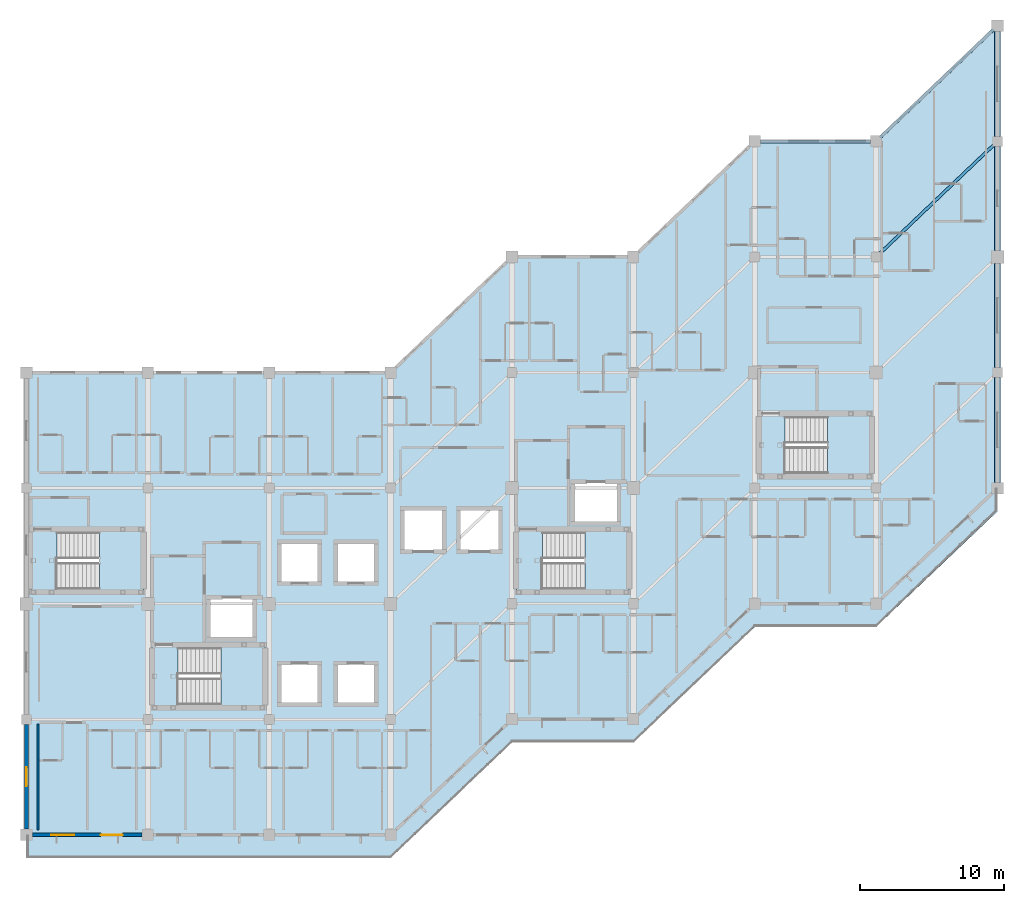
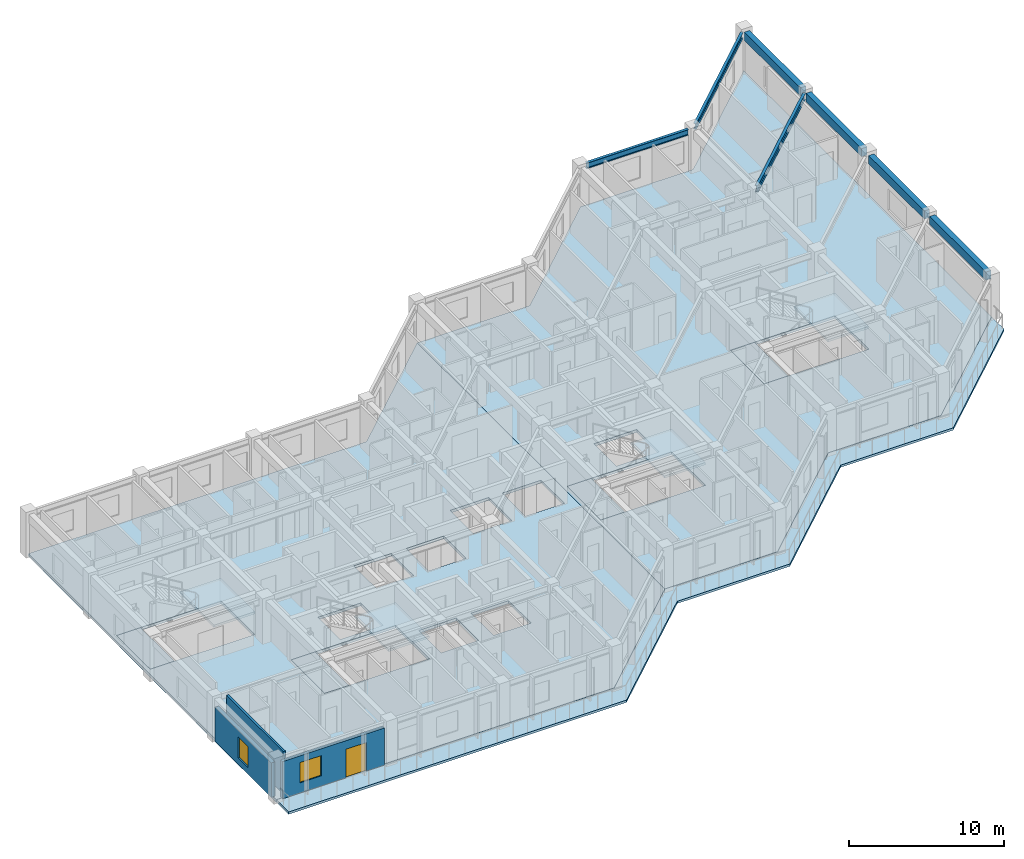
# One storey, part 4 of 17: 11 slabs, 7 beams, 3 walls, 2 windows, 1 door, 3 openings, 4 elements without a shape of their own.
"""IFC4 building model written with IfcOpenShell, lengths in metres."""

from ifc_helpers import new_model, si_unit, direction, frame, frame_2d, origin, origin_2d, place, context, subcontext, project, spatial, polyline, rectangle, i_section, outline, extrude, material, layer, layer_set, material_profile, profile_set, type_object, element, fill, aggregate, save


model = new_model("IFC4")

# Units and contexts
model_context = context("Model", 3, precision=1e-05, world=origin(), true_north=direction((0.0, 1.0)))
body_context = subcontext(model_context, "Body", "Model", "MODEL_VIEW")
ifc_project = project(units=[si_unit("LENGTHUNIT", "METRE"), si_unit("AREAUNIT", "SQUARE_METRE"), si_unit("VOLUMEUNIT", "CUBIC_METRE"), si_unit("PLANEANGLEUNIT", "RADIAN"), si_unit("MASSUNIT", "GRAM", prefix="KILO")], contexts=[model_context])

# Site, building, storey
site_placement = place(None, origin())
site = spatial("IfcSite", under=ifc_project, at=site_placement, CompositionType="ELEMENT")
building_placement = place(site_placement, origin())
building = spatial("IfcBuilding", under=site, at=building_placement, Name="Naruveol Harbour Congress Hotel", CompositionType="ELEMENT")
storey_placement = place(building_placement, frame((0.0, 0.0, 25.199951171875)))
storey = spatial("IfcBuildingStorey", under=building, at=storey_placement, Name="L05", CompositionType="ELEMENT", Elevation=25.199951171875)

# Beams
ifc_material_1 = material(Name="Concrete C40/50", Category="concrete")
ifc_material_profile_1 = material_profile(ifc_material_1, rectangle(XDim=0.39990234375, YDim=0.64990234375, at=origin_2d()), Name="RCB-400x650")
ifc_profile_set_1 = profile_set([ifc_material_profile_1], Name="Concrete C40/50")
beam_type_1 = type_object("IfcBeamType", Name="RC HOTEL BEAM 400X650", PredefinedType="BEAM", material=ifc_profile_set_1)
beam_1_placement = place(storey_placement, frame((184.800048828125, 24.39599609375, 3.01513671875), z_axis=(0.0, 1.0, 0.0), x_axis=(-1.0, 0.0, 0.0)))
element("IfcBeam", 1, at=beam_1_placement, inside=storey, type_object=beam_type_1, Name="Hotel transverse beam L06 CB4", PredefinedType="BEAM", context=body_context, shape_type="SweptSolid", body=[
    extrude(rectangle(XDim=0.39990234375, YDim=0.64990234375, at=origin_2d()), origin(), (0.0, 0.0, 1.0), 7.258056640625),
])
for number, where, z_axis, x_axis, name in (
    (2, (184.800048828125, 32.345947265625, 3.01513671875), (0.0, 1.0, 0.0), (-1.0, 0.0, 0.0), "Hotel transverse beam L06 CB4"),
    (3, (184.800048828125, 40.446044921875, 3.01513671875), (0.0, 1.0, 0.0), (-1.0, 0.0, 0.0), "Hotel transverse beam L06 CB4"),
):
    element("IfcBeam", number, at=place(storey_placement, frame(where, z_axis=z_axis, x_axis=x_axis)), inside=storey, type_object=beam_type_1, Name=name, PredefinedType="BEAM", context=body_context, shape_type="SweptSolid", body=[
        extrude(rectangle(XDim=0.39990234375, YDim=0.64990234375, at=origin_2d()), origin(), (0.0, 0.0, 1.0), 7.2080078125),
    ])
beam_2_placement = place(storey_placement, frame((184.800048828125, 48.345947265625, 3.01513671875), z_axis=(0.0, 1.0, 0.0), x_axis=(-1.0, 0.0, 0.0)))
element("IfcBeam", 4, at=beam_2_placement, inside=storey, type_object=beam_type_1, Name="Hotel transverse beam L06 CB4", PredefinedType="BEAM", context=body_context, shape_type="SweptSolid", body=[
    extrude(rectangle(XDim=0.39990234375, YDim=0.64990234375, at=origin_2d()), origin(), (0.0, 0.0, 1.0), 7.258056640625),
])
ifc_material_2 = material(Name="Steel SN490", Category="steel")
ifc_material_profile_2 = material_profile(ifc_material_2, i_section(OverallWidth=0.199951171875, OverallDepth=0.5, WebThickness=0.010009765625, FlangeThickness=0.01611328125, at=origin_2d()), Name="H-500x200x10x16")
ifc_profile_set_2 = profile_set([ifc_material_profile_2], Name="Steel SN490")
beam_type_2 = type_object("IfcBeamType", Name="STEEL FLOOR GIRDER H500", PredefinedType="BEAM", material=ifc_profile_set_2)
beam_3_placement = place(storey_placement, frame((176.650634765625, 40.238525390625, 3.090087890625), z_axis=(0.724119833693, 0.689674174123, 0.0), x_axis=(-0.689674174123, 0.724119833693, 0.0)))
element("IfcBeam", 5, at=beam_3_placement, inside=storey, type_object=beam_type_2, Name="Hotel chord beam L06 SB2", PredefinedType="BEAM", context=body_context, shape_type="SweptSolid", body=[
    extrude(i_section(OverallWidth=0.199951171875, OverallDepth=0.5, WebThickness=0.010009765625, FlangeThickness=0.01611328125, at=origin_2d()), origin(), (0.0, 0.0, 1.0), 10.907958984375),
])
ifc_material_3 = material(Name="Steel SN490", Category="steel")
ifc_material_profile_3 = material_profile(ifc_material_3, i_section(OverallWidth=0.199951171875, OverallDepth=0.449951171875, WebThickness=0.009033203125, FlangeThickness=0.013916015625, at=origin_2d()), Name="H-450x200x9x14")
ifc_profile_set_3 = profile_set([ifc_material_profile_3], Name="Steel SN490")
beam_type_3 = type_object("IfcBeamType", Name="STEEL SPANDREL EDGE BEAM H450", PredefinedType="SPANDREL", material=ifc_profile_set_3)
beam_4_placement = place(storey_placement, frame((168.39599609375, 48.0, 3.114990234375), z_axis=(1.0, 0.0, 0.0), x_axis=(0.0, 1.0, 0.0)))
element("IfcBeam", 6, at=beam_4_placement, inside=storey, type_object=beam_type_3, Name="Hotel chord beam L06 SPB2", PredefinedType="SPANDREL", context=body_context, shape_type="SweptSolid", body=[
    extrude(i_section(OverallWidth=0.199951171875, OverallDepth=0.449951171875, WebThickness=0.009033203125, FlangeThickness=0.013916015625, at=origin_2d()), origin(), (0.0, 0.0, 1.0), 7.60791015625),
])
beam_5_placement = place(storey_placement, frame((176.686767578125, 48.273193359375, 3.114990234375), z_axis=(0.724143303008, 0.689649531798, 0.0), x_axis=(-0.689649531798, 0.724143303008, 0.0)))
element("IfcBeam", 7, at=beam_5_placement, inside=storey, type_object=beam_type_3, Name="Hotel chord beam L06 SPB2", PredefinedType="SPANDREL", context=body_context, shape_type="SweptSolid", body=[
    extrude(i_section(OverallWidth=0.199951171875, OverallDepth=0.449951171875, WebThickness=0.009033203125, FlangeThickness=0.013916015625, at=origin_2d()), origin(), (0.0, 0.0, 1.0), 10.807861328125),
])

# Slabs
ifc_material_4 = material(Name="Concrete C40/50", Category="concrete")
ifc_layer_1 = layer(ifc_material_4, 0.219970703125)
ifc_layer_set_1 = layer_set([ifc_layer_1], Name="Concrete C40/50")
slab_type_1 = type_object("IfcSlabType", Name="RC HOTEL LOWER FLOOR SLAB 220", PredefinedType="FLOOR", material=ifc_layer_set_1)
slab_1_placement = place(storey_placement, frame((0.0, 0.0, -0.219970703125)))
element("IfcSlab", 8, at=slab_1_placement, inside=storey, type_object=slab_type_1, Name="Level L05 Hotel W S-curve floor slab", PredefinedType="FLOOR", context=body_context, shape_type="SweptSolid", body=[
    extrude(outline(polyline([(117.60009765625, 0.0), (126.0, 0.0), (134.39990234375, 0.0), (142.800048828125, 0.0), (151.199951171875, 8.0), (151.199951171875, 40.0), (142.800048828125, 32.0), (134.39990234375, 32.0), (126.0, 32.0), (117.60009765625, 32.0), (117.60009765625, 0.0)]), holes=[polyline([(126.300048828125, 8.800048828125), (134.10009765625, 8.800048828125), (134.10009765625, 13.159912109375), (126.300048828125, 13.159912109375), (126.300048828125, 8.800048828125)]), polyline([(117.89990234375, 16.800048828125), (125.699951171875, 16.800048828125), (125.699951171875, 21.159912109375), (117.89990234375, 21.159912109375), (117.89990234375, 16.800048828125)]), polyline([(135.10009765625, 17.39990234375), (137.89990234375, 17.39990234375), (137.89990234375, 20.300048828125), (135.10009765625, 20.300048828125), (135.10009765625, 17.39990234375)]), polyline([(139.0, 17.39990234375), (141.800048828125, 17.39990234375), (141.800048828125, 20.300048828125), (139.0, 20.300048828125), (139.0, 17.39990234375)]), polyline([(135.10009765625, 9.0), (137.89990234375, 9.0), (137.89990234375, 11.89990234375), (135.10009765625, 11.89990234375), (135.10009765625, 9.0)]), polyline([(139.0, 9.0), (141.800048828125, 9.0), (141.800048828125, 11.89990234375), (139.0, 11.89990234375), (139.0, 9.0)]), polyline([(130.199951171875, 13.550048828125), (133.39990234375, 13.550048828125), (133.39990234375, 16.449951171875), (130.199951171875, 16.449951171875), (130.199951171875, 13.550048828125)]), polyline([(143.60009765625, 19.60009765625), (146.5, 19.60009765625), (146.5, 22.60009765625), (143.60009765625, 22.60009765625), (143.60009765625, 19.60009765625)]), polyline([(147.5, 19.60009765625), (150.39990234375, 19.60009765625), (150.39990234375, 22.60009765625), (147.5, 22.60009765625), (147.5, 19.60009765625)])]), origin(), (0.0, 0.0, 1.0), 0.219970703125),
])
slab_2_placement = place(storey_placement, frame((0.0, 0.0, -0.219970703125)))
element("IfcSlab", 9, at=slab_2_placement, inside=storey, type_object=slab_type_1, Name="Level L05 Hotel E S-curve floor slab", PredefinedType="FLOOR", context=body_context, shape_type="SweptSolid", body=[
    extrude(outline(polyline([(151.199951171875, 8.0), (159.60009765625, 8.0), (168.0, 16.0), (176.39990234375, 16.0), (184.800048828125, 24.0), (184.800048828125, 56.0), (176.39990234375, 48.0), (168.0, 48.0), (159.60009765625, 40.0), (151.199951171875, 40.0), (151.199951171875, 8.0)]), holes=[polyline([(151.5, 16.800048828125), (159.300048828125, 16.800048828125), (159.300048828125, 21.159912109375), (151.5, 21.159912109375), (151.5, 16.800048828125)]), polyline([(168.300048828125, 24.800048828125), (176.10009765625, 24.800048828125), (176.10009765625, 29.159912109375), (168.300048828125, 29.159912109375), (168.300048828125, 24.800048828125)]), polyline([(155.39990234375, 21.550048828125), (158.60009765625, 21.550048828125), (158.60009765625, 24.449951171875), (155.39990234375, 24.449951171875), (155.39990234375, 21.550048828125)])]), origin(), (0.0, 0.0, 1.0), 0.219970703125),
])
ifc_material_5 = material(Name="Concrete C40/50", Category="concrete")
ifc_layer_2 = layer(ifc_material_5, 0.179931640625)
ifc_layer_set_2 = layer_set([ifc_layer_2], Name="Concrete C40/50")
slab_type_2 = type_object("IfcSlabType", Name="RC STAIR HALF LANDING SLAB 180", PredefinedType="LANDING", material=ifc_layer_set_2)
slab_3_placement = place(storey_placement, frame((0.0, 0.0, -0.179931640625)))
element("IfcSlab", 10, at=slab_3_placement, inside=storey, type_object=slab_type_2, Name="Stair ST1 L05 floor landing", PredefinedType="LANDING", context=body_context, shape_type="SweptSolid", body=[
    extrude(outline(polyline([(126.300048828125, 8.800048828125), (128.10009765625, 8.800048828125), (128.10009765625, 13.159912109375), (126.300048828125, 13.159912109375), (126.300048828125, 8.800048828125)])), origin(), (0.0, 0.0, 1.0), 0.179931640625),
])

# Stair, slab
ifc_material_6 = material(Name="Concrete C40/50", Category="concrete")
stair_type = type_object("IfcStairType", Name="RC DOG LEG ESCAPE STAIR 1800W H3600", PredefinedType="HALF_TURN_STAIR", material=ifc_material_6)
stair_1_placement = place(storey_placement, origin())
stair_1 = element("IfcStair", 11, at=stair_1_placement, inside=storey, type_object=stair_type, Name="Special Escape Stair ST1 L05 to L06", PredefinedType="HALF_TURN_STAIR")
slab_4_placement = place(storey_placement, frame((0.0, 0.0, 1.6201171875)))
slab_4 = element("IfcSlab", 12, at=slab_4_placement, type_object=slab_type_2, Name="ST1 L05 half landing", PredefinedType="LANDING", context=body_context, shape_type="SweptSolid", body=[
    extrude(outline(polyline([(131.050048828125, 8.800048828125), (134.10009765625, 8.800048828125), (134.10009765625, 13.159912109375), (131.050048828125, 13.159912109375), (131.050048828125, 8.800048828125)])), origin(), (0.0, 0.0, 1.0), 0.179931640625),
])
aggregate(stair_1, [slab_4])

# Slab
slab_5_placement = place(storey_placement, frame((0.0, 0.0, -0.179931640625)))
element("IfcSlab", 13, at=slab_5_placement, inside=storey, type_object=slab_type_2, Name="Stair ST2 L05 floor landing", PredefinedType="LANDING", context=body_context, shape_type="SweptSolid", body=[
    extrude(outline(polyline([(151.5, 16.800048828125), (153.300048828125, 16.800048828125), (153.300048828125, 21.159912109375), (151.5, 21.159912109375), (151.5, 16.800048828125)])), origin(), (0.0, 0.0, 1.0), 0.179931640625),
])

# Stair, slab
stair_2_placement = place(storey_placement, origin())
stair_2 = element("IfcStair", 14, at=stair_2_placement, inside=storey, type_object=stair_type, Name="Special Escape Stair ST2 L05 to L06", PredefinedType="HALF_TURN_STAIR")
slab_6_placement = place(storey_placement, frame((0.0, 0.0, 1.6201171875)))
slab_6 = element("IfcSlab", 15, at=slab_6_placement, type_object=slab_type_2, Name="ST2 L05 half landing", PredefinedType="LANDING", context=body_context, shape_type="SweptSolid", body=[
    extrude(outline(polyline([(156.25, 16.800048828125), (159.300048828125, 16.800048828125), (159.300048828125, 21.159912109375), (156.25, 21.159912109375), (156.25, 16.800048828125)])), origin(), (0.0, 0.0, 1.0), 0.179931640625),
])
aggregate(stair_2, [slab_6])

# Slab
slab_7_placement = place(storey_placement, frame((0.0, 0.0, -0.179931640625)))
element("IfcSlab", 16, at=slab_7_placement, inside=storey, type_object=slab_type_2, Name="Stair ST3 L05 floor landing", PredefinedType="LANDING", context=body_context, shape_type="SweptSolid", body=[
    extrude(outline(polyline([(117.89990234375, 16.800048828125), (119.699951171875, 16.800048828125), (119.699951171875, 21.159912109375), (117.89990234375, 21.159912109375), (117.89990234375, 16.800048828125)])), origin(), (0.0, 0.0, 1.0), 0.179931640625),
])

# Stair, slab
stair_3_placement = place(storey_placement, origin())
stair_3 = element("IfcStair", 17, at=stair_3_placement, inside=storey, type_object=stair_type, Name="Special Escape Stair ST3 L05 to L06", PredefinedType="HALF_TURN_STAIR")
slab_8_placement = place(storey_placement, frame((0.0, 0.0, 1.6201171875)))
slab_8 = element("IfcSlab", 18, at=slab_8_placement, type_object=slab_type_2, Name="ST3 L05 half landing", PredefinedType="LANDING", context=body_context, shape_type="SweptSolid", body=[
    extrude(outline(polyline([(122.64990234375, 16.800048828125), (125.699951171875, 16.800048828125), (125.699951171875, 21.159912109375), (122.64990234375, 21.159912109375), (122.64990234375, 16.800048828125)])), origin(), (0.0, 0.0, 1.0), 0.179931640625),
])
aggregate(stair_3, [slab_8])

# Slab
slab_9_placement = place(storey_placement, frame((0.0, 0.0, -0.179931640625)))
element("IfcSlab", 19, at=slab_9_placement, inside=storey, type_object=slab_type_2, Name="Stair ST4 L05 floor landing", PredefinedType="LANDING", context=body_context, shape_type="SweptSolid", body=[
    extrude(outline(polyline([(168.300048828125, 24.800048828125), (170.10009765625, 24.800048828125), (170.10009765625, 29.159912109375), (168.300048828125, 29.159912109375), (168.300048828125, 24.800048828125)])), origin(), (0.0, 0.0, 1.0), 0.179931640625),
])

# Stair, slab
stair_4_placement = place(storey_placement, origin())
stair_4 = element("IfcStair", 20, at=stair_4_placement, inside=storey, type_object=stair_type, Name="Special Escape Stair ST4 L05 to L06", PredefinedType="HALF_TURN_STAIR")
slab_10_placement = place(storey_placement, frame((0.0, 0.0, 1.6201171875)))
slab_10 = element("IfcSlab", 21, at=slab_10_placement, type_object=slab_type_2, Name="ST4 L05 half landing", PredefinedType="LANDING", context=body_context, shape_type="SweptSolid", body=[
    extrude(outline(polyline([(173.050048828125, 24.800048828125), (176.10009765625, 24.800048828125), (176.10009765625, 29.159912109375), (173.050048828125, 29.159912109375), (173.050048828125, 24.800048828125)])), origin(), (0.0, 0.0, 1.0), 0.179931640625),
])
aggregate(stair_4, [slab_10])

# Slab
ifc_material_7 = material(Name="Concrete C40/50", Category="concrete")
ifc_layer_3 = layer(ifc_material_7, 0.179931640625)
ifc_layer_set_3 = layer_set([ifc_layer_3], Name="Concrete C40/50")
slab_type_3 = type_object("IfcSlabType", Name="RC TERRACE AND LANDING SLAB 180", PredefinedType="FLOOR", material=ifc_layer_set_3)
slab_11_placement = place(storey_placement, frame((0.0, 0.0, -0.179931640625)))
element("IfcSlab", 22, at=slab_11_placement, inside=storey, type_object=slab_type_3, Name="Level L05 Harbourfront brise-soleil balcony", PredefinedType="FLOOR", context=body_context, shape_type="SweptSolid", body=[
    extrude(outline(polyline([(117.60009765625, -1.60009765625), (126.0, -1.60009765625), (134.39990234375, -1.60009765625), (142.800048828125, -1.60009765625), (151.199951171875, 6.39990234375), (159.60009765625, 6.39990234375), (168.0, 14.39990234375), (176.39990234375, 14.39990234375), (184.800048828125, 22.39990234375), (184.800048828125, 23.9951171875), (176.39990234375, 15.9951171875), (168.0, 15.9951171875), (159.60009765625, 7.9951171875), (151.199951171875, 7.9951171875), (142.800048828125, -0.0048828125), (134.39990234375, -0.0048828125), (126.0, -0.0048828125), (117.60009765625, -0.0048828125), (117.60009765625, -1.60009765625)])), origin(), (0.0, 0.0, 1.0), 0.179931640625),
])

# Wall, opening, window
ifc_material_8 = material(Name="Precast concrete C40/50", Category="concrete")
ifc_layer_4 = layer(ifc_material_8, 0.280029296875)
ifc_layer_set_4 = layer_set([ifc_layer_4], Name="Precast concrete C40/50")
wall_type_1 = type_object("IfcWallType", Name="ARCHITECTURAL PRECAST FACADE WALL 280", PredefinedType="SOLIDWALL", material=ifc_layer_set_4)
wall_1_placement = place(storey_placement, frame((117.60009765625, 0.39990234375, 0.0), z_axis=(0.0, 0.0, 1.0), x_axis=(0.0, 1.0, 0.0)))
wall_1 = element("IfcWall", 23, at=wall_1_placement, inside=storey, type_object=wall_type_1, Name="Hotel west gable wall L05 EW-280", PredefinedType="SOLIDWALL", context=body_context, shape_type="SweptSolid", body=[
    extrude(rectangle(XDim=7.25, YDim=0.280029296875, at=frame_2d((3.625, 0.0))), origin(), (0.0, 0.0, 1.0), 2.699951171875),
])
opening_1_placement = place(wall_1_placement, frame((2.97509765625, 0.0, 0.5)))
opening_1 = element("IfcOpeningElement", 24, at=opening_1_placement, cuts=wall_1, Name="Opening W-27", PredefinedType="OPENING", context=body_context, shape_type="SweptSolid", body=[
    extrude(rectangle(XDim=1.300048828125, YDim=1.64990234375, at=frame_2d((0.64990234375, 0.824951171875))), frame((0.0, 0.14990234375, 0.0), z_axis=(0.0, -1.0, 0.0), x_axis=(1.0, 0.0, 0.0)), (0.0, 0.0, 1.0), 0.300048828125),
])
ifc_material_9 = material(Name="Low-E Triple Glazing in Thermal Aluminium", Category="aluminium")
window_type_1 = type_object("IfcWindowType", Name="READING SALON TALL WINDOW 1300X1650", PartitioningType="SINGLE_PANEL", PredefinedType="WINDOW", material=ifc_material_9)
window_1_placement = place(opening_1_placement, origin())
window_1 = element("IfcWindow", 25, at=window_1_placement, inside=storey, type_object=window_type_1, Name="Window W-27 #342", OverallHeight=1.64990234375, OverallWidth=1.300048828125, PartitioningType="SINGLE_PANEL", PredefinedType="WINDOW", context=body_context, shape_type="SweptSolid", body=[
    extrude(rectangle(XDim=1.300048828125, YDim=1.64990234375, at=frame_2d((0.64990234375, 0.824951171875))), frame((0.0, 0.030029296875, 0.0), z_axis=(0.0, -1.0, 0.0), x_axis=(1.0, 0.0, 0.0)), (0.0, 0.0, 1.0), 0.06005859375),
])
fill(opening_1, window_1)

# Wall
ifc_material_10 = material(Name="Autoclaved Aerated Concrete Block", Category="concrete")
ifc_layer_5 = layer(ifc_material_10, 0.159912109375)
ifc_layer_set_5 = layer_set([ifc_layer_5], Name="Autoclaved Aerated Concrete Block")
wall_type_2 = type_object("IfcWallType", Name="HOTEL PARTY AND CORRIDOR WALL 160 EI60", PredefinedType="PARTITIONING", material=ifc_layer_set_5)
wall_2_placement = place(storey_placement, frame((118.39990234375, 0.340087890625, 0.0), z_axis=(0.0, 0.0, 1.0), x_axis=(0.0, 1.0, 0.0)))
element("IfcWall", 26, at=wall_2_placement, inside=storey, type_object=wall_type_2, Name="Hotel party wall 0615 PW-160", PredefinedType="PARTITIONING", context=body_context, shape_type="SweptSolid", body=[
    extrude(rectangle(XDim=7.329833984375, YDim=0.159912109375, at=frame_2d((3.6650390625, 0.0))), origin(), (0.0, 0.0, 1.0), 3.3349609375),
])

# Wall, openings, window, door
ifc_material_11 = material(Name="Concrete C40/50", Category="concrete")
ifc_layer_6 = layer(ifc_material_11, 0.239990234375)
ifc_layer_set_6 = layer_set([ifc_layer_6], Name="Concrete C40/50")
wall_type_3 = type_object("IfcWallType", Name="INSULATED HOTEL SPANDREL WALL 240", PredefinedType="SOLIDWALL", material=ifc_layer_set_6)
wall_3_placement = place(storey_placement, frame((125.60009765625, 0.0, 0.0), z_axis=(0.0, 0.0, 1.0), x_axis=(-1.0, 0.0, 0.0)))
wall_3 = element("IfcWall", 27, at=wall_3_placement, inside=storey, type_object=wall_type_3, Name="Hotel south waterfront wall L05 EW-240", PredefinedType="SOLIDWALL", context=body_context, shape_type="SweptSolid", body=[
    extrude(rectangle(XDim=7.60009765625, YDim=0.239990234375, at=frame_2d((3.800048828125, 0.0))), origin(), (0.0, 0.0, 1.0), 2.929931640625),
])
opening_2_placement = place(wall_3_placement, frame((1.35009765625, 0.0, 0.0)))
opening_2 = element("IfcOpeningElement", 28, at=opening_2_placement, cuts=wall_3, Name="Opening BD-150-038", PredefinedType="OPENING", context=body_context, shape_type="SweptSolid", body=[
    extrude(rectangle(XDim=1.5, YDim=2.25, at=frame_2d((0.75, 1.125))), frame((0.0, 0.1298828125, 0.0), z_axis=(0.0, -1.0, 0.0), x_axis=(1.0, 0.0, 0.0)), (0.0, 0.0, 1.0), 0.260009765625),
])
opening_3_placement = place(wall_3_placement, frame((4.699951171875, 0.0, 0.800048828125)))
opening_3 = element("IfcOpeningElement", 29, at=opening_3_placement, cuts=wall_3, Name="Opening W-03", PredefinedType="OPENING", context=body_context, shape_type="SweptSolid", body=[
    extrude(rectangle(XDim=1.60009765625, YDim=1.60009765625, at=frame_2d((0.800048828125, 0.800048828125))), frame((0.0, 0.1298828125, 0.0), z_axis=(0.0, -1.0, 0.0), x_axis=(1.0, 0.0, 0.0)), (0.0, 0.0, 1.0), 0.260009765625),
])
ifc_material_12 = material(Name="Low-E Triple Glazing in Thermal Aluminium", Category="aluminium")
window_type_2 = type_object("IfcWindowType", Name="DELUXE GUEST WINDOW 1600X1600", PartitioningType="SINGLE_PANEL", PredefinedType="WINDOW", material=ifc_material_12)
window_2_placement = place(opening_3_placement, origin())
window_2 = element("IfcWindow", 30, at=window_2_placement, inside=storey, type_object=window_type_2, Name="Window W-03 #308", OverallHeight=1.60009765625, OverallWidth=1.60009765625, PartitioningType="SINGLE_PANEL", PredefinedType="WINDOW", context=body_context, shape_type="SweptSolid", body=[
    extrude(rectangle(XDim=1.60009765625, YDim=1.60009765625, at=frame_2d((0.800048828125, 0.800048828125))), frame((0.0, 0.030029296875, 0.0), z_axis=(0.0, -1.0, 0.0), x_axis=(1.0, 0.0, 0.0)), (0.0, 0.0, 1.0), 0.06005859375),
])
fill(opening_3, window_2)
ifc_material_13 = material(Name="Powder-Coated Steel & Insulated Glazing", Category="steel")
door_type = type_object("IfcDoorType", Name="SUITE BALCONY SLIDING DOOR 1500X2250", OperationType="SLIDING_TO_LEFT", PredefinedType="DOOR", material=ifc_material_13)
door_placement = place(opening_2_placement, origin())
door = element("IfcDoor", 31, at=door_placement, inside=storey, type_object=door_type, Name="Exterior door BD-150-038", OperationType="SLIDING_TO_LEFT", OverallHeight=2.25, OverallWidth=1.5, PredefinedType="DOOR", context=body_context, shape_type="SweptSolid", body=[
    extrude(rectangle(XDim=1.5, YDim=2.25, at=frame_2d((0.75, 1.125))), frame((0.0, 0.02490234375, 0.0), z_axis=(0.0, -1.0, 0.0), x_axis=(1.0, 0.0, 0.0)), (0.0, 0.0, 1.0), 0.050048828125),
])
fill(opening_2, door)

save(model, "model.ifc")
